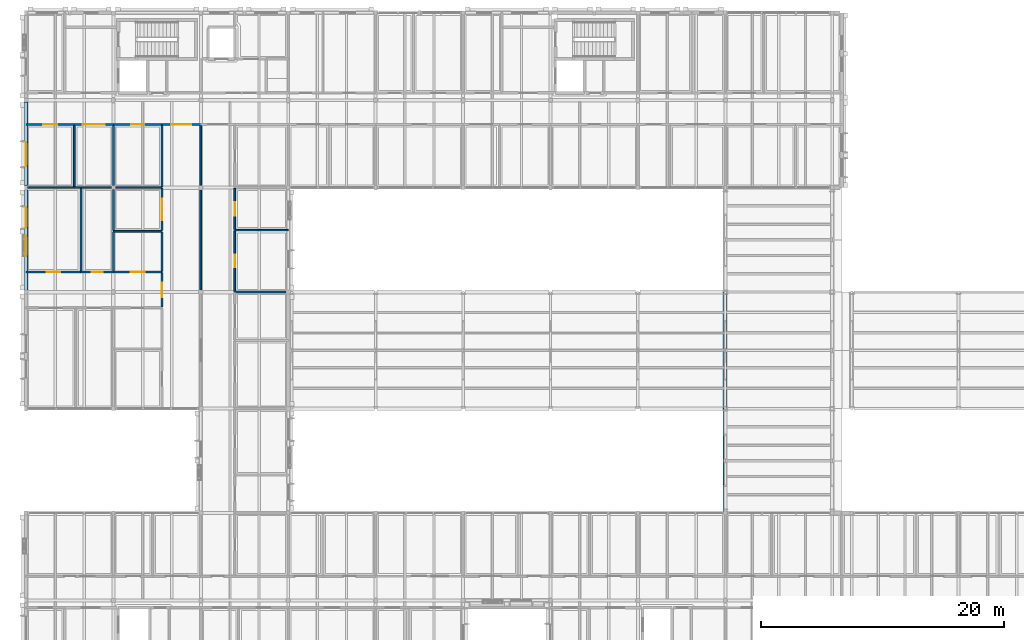
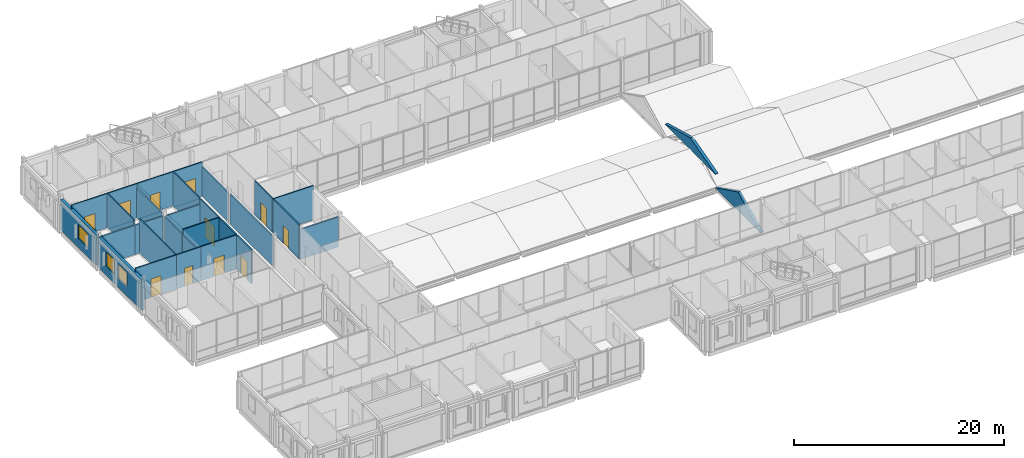
# One storey, part 85 of 115: 31 walls, 11 doors, 3 windows, 14 openings.
"""IFC4 building model written with IfcOpenShell, lengths in metres."""

from ifc_helpers import new_model, si_unit, direction, frame, frame_2d, origin, place, context, subcontext, project, spatial, polyline, rectangle, outline, extrude, material, layer, layer_set, type_object, element, fill, save


model = new_model("IFC4")

# Units and contexts
model_context = context("Model", 3, precision=1e-05, world=origin(), true_north=direction((0.0, 1.0)))
body_context = subcontext(model_context, "Body", "Model", "MODEL_VIEW")
ifc_project = project(units=[si_unit("LENGTHUNIT", "METRE"), si_unit("AREAUNIT", "SQUARE_METRE"), si_unit("VOLUMEUNIT", "CUBIC_METRE"), si_unit("PLANEANGLEUNIT", "RADIAN"), si_unit("MASSUNIT", "GRAM", prefix="KILO")], contexts=[model_context])

# Site, building, storey
site_placement = place(None, origin())
site = spatial("IfcSite", under=ifc_project, at=site_placement, CompositionType="ELEMENT")
building_placement = place(site_placement, origin())
building = spatial("IfcBuilding", under=site, at=building_placement, Name="Hawrajan Terrace Health Centre", CompositionType="ELEMENT")
storey_placement = place(building_placement, frame((0.0, 0.0, 9.0)))
storey = spatial("IfcBuildingStorey", under=building, at=storey_placement, Name="L02", CompositionType="ELEMENT", Elevation=9.0)

# Wall, openings, windows
ifc_material_1 = material(Name="Precast concrete C40/50", Category="concrete")
ifc_layer_1 = layer(ifc_material_1, 0.31005859375)
ifc_layer_set_1 = layer_set([ifc_layer_1], Name="Precast concrete C40/50")
wall_type_1 = type_object("IfcWallType", Name="ArtDecoFacadeWall_310", PredefinedType="SOLIDWALL", material=ifc_layer_set_1)
wall_1_placement = place(storey_placement, frame((4.60009765625, 36.9599609375, 0.0), z_axis=(0.0, 0.0, 1.0), x_axis=(0.0, 1.0, 0.0)))
wall_1 = element("IfcWall", 1, at=wall_1_placement, inside=storey, type_object=wall_type_1, Name="Exterior wall EW-L02-V00-04-1", PredefinedType="SOLIDWALL", context=body_context, shape_type="SweptSolid", body=[
    extrude(rectangle(XDim=8.260009765625, YDim=0.31005859375, at=frame_2d((4.1298828125, 0.0))), origin(), (0.0, 0.0, 1.0), 3.530029296875),
])
opening_1_placement = place(wall_1_placement, frame((2.794921875, 0.0, 1.050048828125)))
opening_1 = element("IfcOpeningElement", 2, at=opening_1_placement, cuts=wall_1, Name="Opening W-L02-117", PredefinedType="OPENING", context=body_context, shape_type="SweptSolid", body=[
    extrude(rectangle(XDim=1.679931640625, YDim=1.64990234375, at=frame_2d((0.83984375, 0.824951171875))), frame((0.0, 0.1650390625, 0.0), z_axis=(0.0, -1.0, 0.0), x_axis=(1.0, 0.0, 0.0)), (0.0, 0.0, 1.0), 0.330078125),
])
opening_2_placement = place(wall_1_placement, frame((5.155029296875, 0.0, 1.050048828125)))
opening_2 = element("IfcOpeningElement", 3, at=opening_2_placement, cuts=wall_1, Name="Opening W-L02-118", PredefinedType="OPENING", context=body_context, shape_type="SweptSolid", body=[
    extrude(rectangle(XDim=1.679931640625, YDim=1.64990234375, at=frame_2d((0.83984375, 0.824951171875))), frame((0.0, 0.1650390625, 0.0), z_axis=(0.0, -1.0, 0.0), x_axis=(1.0, 0.0, 0.0)), (0.0, 0.0, 1.0), 0.330078125),
])
ifc_material_2 = material(Name="Anodized bronze frame with double low-E glazing", Category="glass")
window_type_1 = type_object("IfcWindowType", Name="FacadeWindow_1680x1650", PartitioningType="DOUBLE_PANEL_VERTICAL", PredefinedType="WINDOW", material=ifc_material_2)
window_1_placement = place(opening_1_placement, origin())
window_1 = element("IfcWindow", 4, at=window_1_placement, inside=storey, type_object=window_type_1, Name="Window W-L02-117", OverallHeight=1.64990234375, OverallWidth=1.679931640625, PartitioningType="DOUBLE_PANEL_VERTICAL", PredefinedType="WINDOW", context=body_context, shape_type="SweptSolid", body=[
    extrude(rectangle(XDim=1.679931640625, YDim=1.64990234375, at=frame_2d((0.83984375, 0.824951171875))), frame((0.0, 0.030029296875, 0.0), z_axis=(0.0, -1.0, 0.0), x_axis=(1.0, 0.0, 0.0)), (0.0, 0.0, 1.0), 0.06005859375),
])
fill(opening_1, window_1)
window_2_placement = place(opening_2_placement, origin())
window_2 = element("IfcWindow", 5, at=window_2_placement, inside=storey, type_object=window_type_1, Name="Window W-L02-118", OverallHeight=1.64990234375, OverallWidth=1.679931640625, PartitioningType="DOUBLE_PANEL_VERTICAL", PredefinedType="WINDOW", context=body_context, shape_type="SweptSolid", body=[
    extrude(rectangle(XDim=1.679931640625, YDim=1.64990234375, at=frame_2d((0.83984375, 0.824951171875))), frame((0.0, 0.030029296875, 0.0), z_axis=(0.0, -1.0, 0.0), x_axis=(1.0, 0.0, 0.0)), (0.0, 0.0, 1.0), 0.06005859375),
])
fill(opening_2, window_2)

# Wall, opening, window
wall_2_placement = place(storey_placement, frame((4.60009765625, 45.580078125, 0.0), z_axis=(0.0, 0.0, 1.0), x_axis=(0.0, 1.0, 0.0)))
wall_2 = element("IfcWall", 6, at=wall_2_placement, inside=storey, type_object=wall_type_1, Name="Exterior wall EW-L02-V00-05-1", PredefinedType="SOLIDWALL", context=body_context, shape_type="SweptSolid", body=[
    extrude(rectangle(XDim=6.85986328125, YDim=0.31005859375, at=frame_2d((3.429931640625, 0.0))), origin(), (0.0, 0.0, 1.0), 3.530029296875),
])
opening_3_placement = place(wall_2_placement, frame((1.590087890625, 0.0, 1.050048828125)))
opening_3 = element("IfcOpeningElement", 7, at=opening_3_placement, cuts=wall_2, Name="Opening W-L02-119", PredefinedType="OPENING", context=body_context, shape_type="SweptSolid", body=[
    extrude(rectangle(XDim=1.9599609375, YDim=1.64990234375, at=frame_2d((0.97998046875, 0.824951171875))), frame((0.0, 0.1650390625, 0.0), z_axis=(0.0, -1.0, 0.0), x_axis=(1.0, 0.0, 0.0)), (0.0, 0.0, 1.0), 0.330078125),
])
window_type_2 = type_object("IfcWindowType", Name="FacadeWindow_1960x1650", PartitioningType="DOUBLE_PANEL_VERTICAL", PredefinedType="WINDOW", material=ifc_material_2)
window_3_placement = place(opening_3_placement, origin())
window_3 = element("IfcWindow", 8, at=window_3_placement, inside=storey, type_object=window_type_2, Name="Window W-L02-119", OverallHeight=1.64990234375, OverallWidth=1.9599609375, PartitioningType="DOUBLE_PANEL_VERTICAL", PredefinedType="WINDOW", context=body_context, shape_type="SweptSolid", body=[
    extrude(rectangle(XDim=1.9599609375, YDim=1.64990234375, at=frame_2d((0.97998046875, 0.824951171875))), frame((0.0, 0.030029296875, 0.0), z_axis=(0.0, -1.0, 0.0), x_axis=(1.0, 0.0, 0.0)), (0.0, 0.0, 1.0), 0.06005859375),
])
fill(opening_3, window_3)

# Walls
wall_3_placement = place(storey_placement, frame((62.179931640625, 18.60009765625, 0.0), z_axis=(0.0, 0.0, 1.0), x_axis=(0.0, 1.0, 0.0)))
element("IfcWall", 9, at=wall_3_placement, inside=storey, type_object=wall_type_1, Name="Glulam roof gable tympanum TYM-V1-W09-S", PredefinedType="SOLIDWALL", context=body_context, shape_type="SweptSolid", body=[
    extrude(outline(polyline([(0.0, 0.0), (8.599853515625, 0.0), (8.60009765625, 0.050048828125), (4.300048828125, 2.159912109375), (0.0, 0.050048828125), (0.0, 0.0)])), frame((0.0, 0.155029296875, 0.0), z_axis=(0.0, -1.0, 0.0), x_axis=(1.0, 0.0, 0.0)), (0.0, 0.0, 1.0), 0.31005859375),
])
wall_4_placement = place(storey_placement, frame((62.179931640625, 27.199951171875, 1.60009765625), z_axis=(0.0, 0.0, 1.0), x_axis=(0.0, 1.0, 0.0)))
element("IfcWall", 10, at=wall_4_placement, inside=storey, type_object=wall_type_1, Name="Glulam roof gable tympanum TYM-V1-W09-M", PredefinedType="SOLIDWALL", context=body_context, shape_type="SweptSolid", body=[
    extrude(outline(polyline([(0.0, 0.0), (9.60009765625, 0.0), (9.60009765625, 0.0498046875), (4.800048828125, 1.35986328125), (0.0, 0.0498046875), (0.0, 0.0)])), frame((0.0, 0.155029296875, 0.0), z_axis=(0.0, -1.0, 0.0), x_axis=(1.0, 0.0, 0.0)), (0.0, 0.0, 1.0), 0.31005859375),
])

# Wall, opening, door
ifc_material_3 = material(Name="Gypsum board on acoustic stud framing")
ifc_layer_2 = layer(ifc_material_3, 0.139892578125)
ifc_layer_set_2 = layer_set([ifc_layer_2], Name="Gypsum board on acoustic stud framing")
wall_type_2 = type_object("IfcWallType", Name="ClinicalAcousticWall_140", PredefinedType="PARTITIONING", material=ifc_layer_set_2)
wall_5_placement = place(storey_placement, frame((4.60009765625, 38.449951171875, 0.0), z_axis=(0.0, 0.0, 1.0), x_axis=(1.0, 0.0, 0.0)))
wall_5 = element("IfcWall", 11, at=wall_5_placement, inside=storey, type_object=wall_type_2, Name="Interior wall IW-L02-0982", PredefinedType="PARTITIONING", context=body_context, shape_type="SweptSolid", body=[
    extrude(rectangle(XDim=4.52197265625, YDim=0.139892578125, at=frame_2d((2.260986328125, 0.0))), origin(), (0.0, 0.0, 1.0), 3.9599609375),
])
opening_4_placement = place(wall_5_placement, frame((1.700927734375, 0.0, 0.0)))
opening_4 = element("IfcOpeningElement", 12, at=opening_4_placement, cuts=wall_5, Name="Opening D-L02-470", PredefinedType="OPENING", context=body_context, shape_type="SweptSolid", body=[
    extrude(rectangle(XDim=1.1201171875, YDim=2.14990234375, at=frame_2d((0.56005859375, 1.074951171875))), frame((0.0, 0.079833984375, 0.0), z_axis=(0.0, -1.0, 0.0), x_axis=(1.0, 0.0, 0.0)), (0.0, 0.0, 1.0), 0.159912109375),
])
ifc_material_4 = material(Name="Hardwood acoustic clinical door leaf and frame", Category="wood")
door_type_1 = type_object("IfcDoorType", Name="DentalSurgeryDoor_1120x2150", OperationType="NOTDEFINED", PredefinedType="DOOR", material=ifc_material_4)
door_1_placement = place(opening_4_placement, origin())
door_1 = element("IfcDoor", 13, at=door_1_placement, inside=storey, type_object=door_type_1, Name="Interior door D-L02-470", OperationType="SINGLE_SWING_RIGHT", OverallHeight=2.14990234375, OverallWidth=1.1201171875, PredefinedType="DOOR", context=body_context, shape_type="SweptSolid", body=[
    extrude(rectangle(XDim=1.1201171875, YDim=2.14990234375, at=frame_2d((0.56005859375, 1.074951171875))), frame((0.0, 0.02490234375, 0.0), z_axis=(0.0, -1.0, 0.0), x_axis=(1.0, 0.0, 0.0)), (0.0, 0.0, 1.0), 0.050048828125),
])
fill(opening_4, door_1)

# Wall
wall_6_placement = place(storey_placement, frame((4.739990234375, 45.39990234375, 0.0), z_axis=(0.0, 0.0, 1.0), x_axis=(1.0, 0.0, 0.0)))
element("IfcWall", 14, at=wall_6_placement, inside=storey, type_object=wall_type_2, Name="Interior wall IW-L02-0983", PredefinedType="PARTITIONING", context=body_context, shape_type="SweptSolid", body=[
    extrude(rectangle(XDim=3.826904296875, YDim=0.139892578125, at=frame_2d((1.91357421875, 0.0))), origin(), (0.0, 0.0, 1.0), 3.389892578125),
])

# Wall, opening, door
wall_7_placement = place(storey_placement, frame((4.60009765625, 50.60009765625, 0.0), z_axis=(0.0, 0.0, 1.0), x_axis=(1.0, 0.0, 0.0)))
wall_7 = element("IfcWall", 15, at=wall_7_placement, inside=storey, type_object=wall_type_2, Name="Interior wall IW-L02-0984", PredefinedType="PARTITIONING", context=body_context, shape_type="SweptSolid", body=[
    extrude(rectangle(XDim=3.966796875, YDim=0.139892578125, at=frame_2d((1.9833984375, 0.0))), origin(), (0.0, 0.0, 1.0), 3.9599609375),
])
opening_5_placement = place(wall_7_placement, frame((1.403564453125, 0.0, 0.0)))
opening_5 = element("IfcOpeningElement", 16, at=opening_5_placement, cuts=wall_7, Name="Opening D-L02-472", PredefinedType="OPENING", context=body_context, shape_type="SweptSolid", body=[
    extrude(rectangle(XDim=1.159912109375, YDim=2.10009765625, at=frame_2d((0.580078125, 1.050048828125))), frame((0.0, 0.079833984375, 0.0), z_axis=(0.0, -1.0, 0.0), x_axis=(1.0, 0.0, 0.0)), (0.0, 0.0, 1.0), 0.159912109375),
])
door_type_2 = type_object("IfcDoorType", Name="ConsultDoor_1160x2100", OperationType="NOTDEFINED", PredefinedType="DOOR", material=ifc_material_4)
door_2_placement = place(opening_5_placement, origin())
door_2 = element("IfcDoor", 17, at=door_2_placement, inside=storey, type_object=door_type_2, Name="Interior door D-L02-472", OperationType="SINGLE_SWING_RIGHT", OverallHeight=2.10009765625, OverallWidth=1.159912109375, PredefinedType="DOOR", context=body_context, shape_type="SweptSolid", body=[
    extrude(rectangle(XDim=1.159912109375, YDim=2.10009765625, at=frame_2d((0.580078125, 1.050048828125))), frame((0.0, 0.02490234375, 0.0), z_axis=(0.0, -1.0, 0.0), x_axis=(1.0, 0.0, 0.0)), (0.0, 0.0, 1.0), 0.050048828125),
])
fill(opening_5, door_2)

# Walls
wall_8_placement = place(storey_placement, frame((8.56689453125, 45.469970703125, 0.0), z_axis=(0.0, 0.0, 1.0), x_axis=(0.0, 1.0, 0.0)))
element("IfcWall", 18, at=wall_8_placement, inside=storey, type_object=wall_type_2, Name="Interior wall IW-L02-0990", PredefinedType="PARTITIONING", context=body_context, shape_type="SweptSolid", body=[
    extrude(rectangle(XDim=5.06005859375, YDim=0.139892578125, at=frame_2d((2.530029296875, 0.0))), origin(), (0.0, 0.0, 1.0), 3.9599609375),
])
wall_9_placement = place(storey_placement, frame((8.56689453125, 45.39990234375, 0.0), z_axis=(0.0, 0.0, 1.0), x_axis=(1.0, 0.0, 0.0)))
element("IfcWall", 19, at=wall_9_placement, inside=storey, type_object=wall_type_2, Name="Interior wall IW-L02-0991", PredefinedType="PARTITIONING", context=body_context, shape_type="SweptSolid", body=[
    extrude(rectangle(XDim=0.55517578125, YDim=0.139892578125, at=frame_2d((0.277587890625, 0.0))), origin(), (0.0, 0.0, 1.0), 3.389892578125),
])

# Wall, opening, door
wall_10_placement = place(storey_placement, frame((8.56689453125, 50.60009765625, 0.0), z_axis=(0.0, 0.0, 1.0), x_axis=(1.0, 0.0, 0.0)))
wall_10 = element("IfcWall", 20, at=wall_10_placement, inside=storey, type_object=wall_type_2, Name="Interior wall IW-L02-0992", PredefinedType="PARTITIONING", context=body_context, shape_type="SweptSolid", body=[
    extrude(rectangle(XDim=3.233154296875, YDim=0.139892578125, at=frame_2d((1.61669921875, 0.0))), origin(), (0.0, 0.0, 1.0), 3.9599609375),
])
opening_6_placement = place(wall_10_placement, frame((0.716552734375, 0.0, 0.0)))
opening_6 = element("IfcOpeningElement", 21, at=opening_6_placement, cuts=wall_10, Name="Opening D-L02-473", PredefinedType="OPENING", context=body_context, shape_type="SweptSolid", body=[
    extrude(rectangle(XDim=1.800048828125, YDim=2.300048828125, at=frame_2d((0.89990234375, 1.14990234375))), frame((0.0, 0.079833984375, 0.0), z_axis=(0.0, -1.0, 0.0), x_axis=(1.0, 0.0, 0.0)), (0.0, 0.0, 1.0), 0.159912109375),
])
door_type_3 = type_object("IfcDoorType", Name="EducationHallDoor_1800x2300", OperationType="DOUBLE_DOOR_SINGLE_SWING", PredefinedType="DOOR", material=ifc_material_4)
door_3_placement = place(opening_6_placement, origin())
door_3 = element("IfcDoor", 22, at=door_3_placement, inside=storey, type_object=door_type_3, Name="Interior door D-L02-473", OperationType="DOUBLE_DOOR_SINGLE_SWING", OverallHeight=2.300048828125, OverallWidth=1.800048828125, PredefinedType="DOOR", context=body_context, shape_type="SweptSolid", body=[
    extrude(rectangle(XDim=1.800048828125, YDim=2.300048828125, at=frame_2d((0.89990234375, 1.14990234375))), frame((0.0, 0.02490234375, 0.0), z_axis=(0.0, -1.0, 0.0), x_axis=(1.0, 0.0, 0.0)), (0.0, 0.0, 1.0), 0.050048828125),
])
fill(opening_6, door_3)

# Wall
wall_11_placement = place(storey_placement, frame((9.1220703125, 38.52001953125, 0.0), z_axis=(0.0, 0.0, 1.0), x_axis=(0.0, 1.0, 0.0)))
element("IfcWall", 23, at=wall_11_placement, inside=storey, type_object=wall_type_2, Name="Interior wall IW-L02-0995", PredefinedType="PARTITIONING", context=body_context, shape_type="SweptSolid", body=[
    extrude(rectangle(XDim=6.81005859375, YDim=0.139892578125, at=frame_2d((3.405029296875, 0.0))), origin(), (0.0, 0.0, 1.0), 3.9599609375),
])

# Wall, opening, door
wall_12_placement = place(storey_placement, frame((9.1220703125, 38.449951171875, 0.0), z_axis=(0.0, 0.0, 1.0), x_axis=(1.0, 0.0, 0.0)))
wall_12 = element("IfcWall", 24, at=wall_12_placement, inside=storey, type_object=wall_type_2, Name="Interior wall IW-L02-0996", PredefinedType="PARTITIONING", context=body_context, shape_type="SweptSolid", body=[
    extrude(rectangle(XDim=2.677978515625, YDim=0.139892578125, at=frame_2d((1.3388671875, 0.0))), origin(), (0.0, 0.0, 1.0), 3.9599609375),
])
opening_7_placement = place(wall_12_placement, frame((0.87890625, 0.0, 0.0)))
opening_7 = element("IfcOpeningElement", 25, at=opening_7_placement, cuts=wall_12, Name="Opening D-L02-471", PredefinedType="OPENING", context=body_context, shape_type="SweptSolid", body=[
    extrude(rectangle(XDim=0.919921875, YDim=2.10009765625, at=frame_2d((0.4599609375, 1.050048828125))), frame((0.0, 0.079833984375, 0.0), z_axis=(0.0, -1.0, 0.0), x_axis=(1.0, 0.0, 0.0)), (0.0, 0.0, 1.0), 0.159912109375),
])
door_type_4 = type_object("IfcDoorType", Name="StaffOfficeDoor_920x2100", OperationType="NOTDEFINED", PredefinedType="DOOR", material=ifc_material_4)
door_4_placement = place(opening_7_placement, origin())
door_4 = element("IfcDoor", 26, at=door_4_placement, inside=storey, type_object=door_type_4, Name="Interior door D-L02-471", OperationType="SINGLE_SWING_LEFT", OverallHeight=2.10009765625, OverallWidth=0.919921875, PredefinedType="DOOR", context=body_context, shape_type="SweptSolid", body=[
    extrude(rectangle(XDim=0.919921875, YDim=2.10009765625, at=frame_2d((0.4599609375, 1.050048828125))), frame((0.0, 0.02490234375, 0.0), z_axis=(0.0, -1.0, 0.0), x_axis=(1.0, 0.0, 0.0)), (0.0, 0.0, 1.0), 0.050048828125),
])
fill(opening_7, door_4)

# Walls
wall_13_placement = place(storey_placement, frame((9.1220703125, 45.39990234375, 0.0), z_axis=(0.0, 0.0, 1.0), x_axis=(1.0, 0.0, 0.0)))
element("IfcWall", 27, at=wall_13_placement, inside=storey, type_object=wall_type_2, Name="Interior wall IW-L02-0997", PredefinedType="PARTITIONING", context=body_context, shape_type="SweptSolid", body=[
    extrude(rectangle(XDim=2.517822265625, YDim=0.139892578125, at=frame_2d((1.2587890625, 0.0))), origin(), (0.0, 0.0, 1.0), 3.389892578125),
])
wall_14_placement = place(storey_placement, frame((11.800048828125, 38.52001953125, 0.0), z_axis=(0.0, 0.0, 1.0), x_axis=(0.0, 1.0, 0.0)))
element("IfcWall", 28, at=wall_14_placement, inside=storey, type_object=wall_type_2, Name="Interior wall IW-L02-1004", PredefinedType="PARTITIONING", context=body_context, shape_type="SweptSolid", body=[
    extrude(rectangle(XDim=3.217041015625, YDim=0.139892578125, at=frame_2d((1.6083984375, 0.0))), origin(), (0.0, 0.0, 1.0), 3.35009765625),
])

# Wall, opening, door
wall_15_placement = place(storey_placement, frame((11.800048828125, 38.449951171875, 0.0), z_axis=(0.0, 0.0, 1.0), x_axis=(1.0, 0.0, 0.0)))
wall_15 = element("IfcWall", 29, at=wall_15_placement, inside=storey, type_object=wall_type_2, Name="Interior wall IW-L02-1005", PredefinedType="PARTITIONING", context=body_context, shape_type="SweptSolid", body=[
    extrude(rectangle(XDim=4.0, YDim=0.139892578125, at=frame_2d((2.0, 0.0))), origin(), (0.0, 0.0, 1.0), 3.9599609375),
])
opening_8_placement = place(wall_15_placement, frame((1.419921875, 0.0, 0.0)))
opening_8 = element("IfcOpeningElement", 30, at=opening_8_placement, cuts=wall_15, Name="Opening D-L02-477", PredefinedType="OPENING", context=body_context, shape_type="SweptSolid", body=[
    extrude(rectangle(XDim=1.159912109375, YDim=2.10009765625, at=frame_2d((0.580078125, 1.050048828125))), frame((0.0, 0.079833984375, 0.0), z_axis=(0.0, -1.0, 0.0), x_axis=(1.0, 0.0, 0.0)), (0.0, 0.0, 1.0), 0.159912109375),
])
door_5_placement = place(opening_8_placement, origin())
door_5 = element("IfcDoor", 31, at=door_5_placement, inside=storey, type_object=door_type_2, Name="Interior door D-L02-477", OperationType="SINGLE_SWING_LEFT", OverallHeight=2.10009765625, OverallWidth=1.159912109375, PredefinedType="DOOR", context=body_context, shape_type="SweptSolid", body=[
    extrude(rectangle(XDim=1.159912109375, YDim=2.10009765625, at=frame_2d((0.580078125, 1.050048828125))), frame((0.0, 0.02490234375, 0.0), z_axis=(0.0, -1.0, 0.0), x_axis=(1.0, 0.0, 0.0)), (0.0, 0.0, 1.0), 0.050048828125),
])
fill(opening_8, door_5)

# Walls
wall_16_placement = place(storey_placement, frame((11.800048828125, 41.876953125, 0.0), z_axis=(0.0, 0.0, 1.0), x_axis=(0.0, 1.0, 0.0)))
element("IfcWall", 32, at=wall_16_placement, inside=storey, type_object=wall_type_2, Name="Interior wall IW-L02-1006", PredefinedType="PARTITIONING", context=body_context, shape_type="SweptSolid", body=[
    extrude(rectangle(XDim=3.363037109375, YDim=0.139892578125, at=frame_2d((1.681640625, 0.0))), origin(), (0.0, 0.0, 1.0), 3.35009765625),
])
wall_17_placement = place(storey_placement, frame((11.800048828125, 41.806884765625, 0.0), z_axis=(0.0, 0.0, 1.0), x_axis=(1.0, 0.0, 0.0)))
element("IfcWall", 33, at=wall_17_placement, inside=storey, type_object=wall_type_2, Name="Interior wall IW-L02-1007", PredefinedType="PARTITIONING", context=body_context, shape_type="SweptSolid", body=[
    extrude(rectangle(XDim=4.0, YDim=0.139892578125, at=frame_2d((2.0, 0.0))), origin(), (0.0, 0.0, 1.0), 3.9599609375),
])
wall_18_placement = place(storey_placement, frame((11.800048828125, 45.56005859375, 0.0), z_axis=(0.0, 0.0, 1.0), x_axis=(0.0, 1.0, 0.0)))
element("IfcWall", 34, at=wall_18_placement, inside=storey, type_object=wall_type_2, Name="Interior wall IW-L02-1008", PredefinedType="PARTITIONING", context=body_context, shape_type="SweptSolid", body=[
    extrude(rectangle(XDim=4.969970703125, YDim=0.139892578125, at=frame_2d((2.48486328125, 0.0))), origin(), (0.0, 0.0, 1.0), 3.469970703125),
])
wall_19_placement = place(storey_placement, frame((11.9599609375, 45.39990234375, 0.0), z_axis=(0.0, 0.0, 1.0), x_axis=(1.0, 0.0, 0.0)))
element("IfcWall", 35, at=wall_19_placement, inside=storey, type_object=wall_type_2, Name="Interior wall IW-L02-1009", PredefinedType="PARTITIONING", context=body_context, shape_type="SweptSolid", body=[
    extrude(rectangle(XDim=3.840087890625, YDim=0.139892578125, at=frame_2d((1.919921875, 0.0))), origin(), (0.0, 0.0, 1.0), 3.31005859375),
])

# Wall, opening, door
wall_20_placement = place(storey_placement, frame((11.800048828125, 50.60009765625, 0.0), z_axis=(0.0, 0.0, 1.0), x_axis=(1.0, 0.0, 0.0)))
wall_20 = element("IfcWall", 36, at=wall_20_placement, inside=storey, type_object=wall_type_2, Name="Interior wall IW-L02-1010", PredefinedType="PARTITIONING", context=body_context, shape_type="SweptSolid", body=[
    extrude(rectangle(XDim=4.0, YDim=0.139892578125, at=frame_2d((2.0, 0.0))), origin(), (0.0, 0.0, 1.0), 3.9599609375),
])
opening_9_placement = place(wall_20_placement, frame((1.47998046875, 0.0, 0.0)))
opening_9 = element("IfcOpeningElement", 37, at=opening_9_placement, cuts=wall_20, Name="Opening D-L02-479", PredefinedType="OPENING", context=body_context, shape_type="SweptSolid", body=[
    extrude(rectangle(XDim=1.0400390625, YDim=2.10009765625, at=frame_2d((0.52001953125, 1.050048828125))), frame((0.0, 0.079833984375, 0.0), z_axis=(0.0, -1.0, 0.0), x_axis=(1.0, 0.0, 0.0)), (0.0, 0.0, 1.0), 0.159912109375),
])
door_type_5 = type_object("IfcDoorType", Name="ConsultDoor_1040x2100", OperationType="NOTDEFINED", PredefinedType="DOOR", material=ifc_material_4)
door_6_placement = place(opening_9_placement, origin())
door_6 = element("IfcDoor", 38, at=door_6_placement, inside=storey, type_object=door_type_5, Name="Interior door D-L02-479", OperationType="SINGLE_SWING_LEFT", OverallHeight=2.10009765625, OverallWidth=1.0400390625, PredefinedType="DOOR", context=body_context, shape_type="SweptSolid", body=[
    extrude(rectangle(XDim=1.0400390625, YDim=2.10009765625, at=frame_2d((0.52001953125, 1.050048828125))), frame((0.0, 0.02490234375, 0.0), z_axis=(0.0, -1.0, 0.0), x_axis=(1.0, 0.0, 0.0)), (0.0, 0.0, 1.0), 0.050048828125),
])
fill(opening_9, door_6)

wall_21_placement = place(storey_placement, frame((15.800048828125, 35.570068359375, 0.0), z_axis=(0.0, 0.0, 1.0), x_axis=(0.0, 1.0, 0.0)))
wall_21 = element("IfcWall", 39, at=wall_21_placement, inside=storey, type_object=wall_type_2, Name="Interior wall IW-L02-1017", PredefinedType="PARTITIONING", context=body_context, shape_type="SweptSolid", body=[
    extrude(rectangle(XDim=2.809814453125, YDim=0.139892578125, at=frame_2d((1.40478515625, 0.0))), origin(), (0.0, 0.0, 1.0), 3.9599609375),
])
opening_10_placement = place(wall_21_placement, frame((0.794921875, 0.0, 0.0)))
opening_10 = element("IfcOpeningElement", 40, at=opening_10_placement, cuts=wall_21, Name="Opening D-L02-447", PredefinedType="OPENING", context=body_context, shape_type="SweptSolid", body=[
    extrude(rectangle(XDim=1.219970703125, YDim=2.10009765625, at=frame_2d((0.60986328125, 1.050048828125))), frame((0.0, 0.079833984375, 0.0), z_axis=(0.0, -1.0, 0.0), x_axis=(1.0, 0.0, 0.0)), (0.0, 0.0, 1.0), 0.159912109375),
])
door_type_6 = type_object("IfcDoorType", Name="ConsultDoor_1220x2100", OperationType="NOTDEFINED", PredefinedType="DOOR", material=ifc_material_4)
door_7_placement = place(opening_10_placement, origin())
door_7 = element("IfcDoor", 41, at=door_7_placement, inside=storey, type_object=door_type_6, Name="Interior door D-L02-447", OperationType="SINGLE_SWING_LEFT", OverallHeight=2.10009765625, OverallWidth=1.219970703125, PredefinedType="DOOR", context=body_context, shape_type="SweptSolid", body=[
    extrude(rectangle(XDim=1.219970703125, YDim=2.10009765625, at=frame_2d((0.60986328125, 1.050048828125))), frame((0.0, 0.02490234375, 0.0), z_axis=(0.0, -1.0, 0.0), x_axis=(1.0, 0.0, 0.0)), (0.0, 0.0, 1.0), 0.050048828125),
])
fill(opening_10, door_7)

# Wall
wall_22_placement = place(storey_placement, frame((15.800048828125, 38.52001953125, 0.0), z_axis=(0.0, 0.0, 1.0), x_axis=(0.0, 1.0, 0.0)))
element("IfcWall", 42, at=wall_22_placement, inside=storey, type_object=wall_type_2, Name="Interior wall IW-L02-1018", PredefinedType="PARTITIONING", context=body_context, shape_type="SweptSolid", body=[
    extrude(rectangle(XDim=3.217041015625, YDim=0.139892578125, at=frame_2d((1.6083984375, 0.0))), origin(), (0.0, 0.0, 1.0), 3.9599609375),
])

# Wall, opening, door
wall_23_placement = place(storey_placement, frame((15.800048828125, 41.876953125, 0.0), z_axis=(0.0, 0.0, 1.0), x_axis=(0.0, 1.0, 0.0)))
wall_23 = element("IfcWall", 43, at=wall_23_placement, inside=storey, type_object=wall_type_2, Name="Interior wall IW-L02-1019", PredefinedType="PARTITIONING", context=body_context, shape_type="SweptSolid", body=[
    extrude(rectangle(XDim=3.453125, YDim=0.139892578125, at=frame_2d((1.7265625, 0.0))), origin(), (0.0, 0.0, 1.0), 3.9599609375),
])
opening_11_placement = place(wall_23_placement, frame((0.826416015625, 0.0, 0.0)))
opening_11 = element("IfcOpeningElement", 44, at=opening_11_placement, cuts=wall_23, Name="Opening D-L02-478", PredefinedType="OPENING", context=body_context, shape_type="SweptSolid", body=[
    extrude(rectangle(XDim=1.800048828125, YDim=2.300048828125, at=frame_2d((0.89990234375, 1.14990234375))), frame((0.0, 0.079833984375, 0.0), z_axis=(0.0, -1.0, 0.0), x_axis=(1.0, 0.0, 0.0)), (0.0, 0.0, 1.0), 0.159912109375),
])
door_8_placement = place(opening_11_placement, origin())
door_8 = element("IfcDoor", 45, at=door_8_placement, inside=storey, type_object=door_type_3, Name="Interior door D-L02-478", OperationType="DOUBLE_DOOR_SINGLE_SWING", OverallHeight=2.300048828125, OverallWidth=1.800048828125, PredefinedType="DOOR", context=body_context, shape_type="SweptSolid", body=[
    extrude(rectangle(XDim=1.800048828125, YDim=2.300048828125, at=frame_2d((0.89990234375, 1.14990234375))), frame((0.0, 0.02490234375, 0.0), z_axis=(0.0, -1.0, 0.0), x_axis=(1.0, 0.0, 0.0)), (0.0, 0.0, 1.0), 0.050048828125),
])
fill(opening_11, door_8)

# Wall
wall_24_placement = place(storey_placement, frame((15.800048828125, 45.469970703125, 0.0), z_axis=(0.0, 0.0, 1.0), x_axis=(0.0, 1.0, 0.0)))
element("IfcWall", 46, at=wall_24_placement, inside=storey, type_object=wall_type_2, Name="Interior wall IW-L02-1020", PredefinedType="PARTITIONING", context=body_context, shape_type="SweptSolid", body=[
    extrude(rectangle(XDim=5.06005859375, YDim=0.139892578125, at=frame_2d((2.530029296875, 0.0))), origin(), (0.0, 0.0, 1.0), 3.9599609375),
])

# Wall, opening, door
wall_25_placement = place(storey_placement, frame((15.800048828125, 50.60009765625, 0.0), z_axis=(0.0, 0.0, 1.0), x_axis=(1.0, 0.0, 0.0)))
wall_25 = element("IfcWall", 47, at=wall_25_placement, inside=storey, type_object=wall_type_2, Name="Interior wall IW-L02-1021", PredefinedType="PARTITIONING", context=body_context, shape_type="SweptSolid", body=[
    extrude(rectangle(XDim=3.199951171875, YDim=0.139892578125, at=frame_2d((1.60009765625, 0.0))), origin(), (0.0, 0.0, 1.0), 3.9599609375),
])
opening_12_placement = place(wall_25_placement, frame((0.77001953125, 0.0, 0.0)))
opening_12 = element("IfcOpeningElement", 48, at=opening_12_placement, cuts=wall_25, Name="Opening D-L02-445", PredefinedType="OPENING", context=body_context, shape_type="SweptSolid", body=[
    extrude(rectangle(XDim=1.659912109375, YDim=2.300048828125, at=frame_2d((0.830078125, 1.14990234375))), frame((0.0, 0.079833984375, 0.0), z_axis=(0.0, -1.0, 0.0), x_axis=(1.0, 0.0, 0.0)), (0.0, 0.0, 1.0), 0.159912109375),
])
door_type_7 = type_object("IfcDoorType", Name="RehabGymDoor_1660x2300", OperationType="DOUBLE_DOOR_SINGLE_SWING", PredefinedType="DOOR", material=ifc_material_4)
door_9_placement = place(opening_12_placement, origin())
door_9 = element("IfcDoor", 49, at=door_9_placement, inside=storey, type_object=door_type_7, Name="Interior door D-L02-445", OperationType="DOUBLE_DOOR_SINGLE_SWING", OverallHeight=2.300048828125, OverallWidth=1.659912109375, PredefinedType="DOOR", context=body_context, shape_type="SweptSolid", body=[
    extrude(rectangle(XDim=1.659912109375, YDim=2.300048828125, at=frame_2d((0.830078125, 1.14990234375))), frame((0.0, 0.02490234375, 0.0), z_axis=(0.0, -1.0, 0.0), x_axis=(1.0, 0.0, 0.0)), (0.0, 0.0, 1.0), 0.050048828125),
])
fill(opening_12, door_9)

# Walls
wall_26_placement = place(storey_placement, frame((19.0, 36.97998046875, 0.0), z_axis=(0.0, 0.0, 1.0), x_axis=(0.0, 1.0, 0.0)))
element("IfcWall", 50, at=wall_26_placement, inside=storey, type_object=wall_type_2, Name="Interior wall IW-L02-1026", PredefinedType="PARTITIONING", context=body_context, shape_type="SweptSolid", body=[
    extrude(rectangle(XDim=8.239990234375, YDim=0.139892578125, at=frame_2d((4.1201171875, 0.0))), origin(), (0.0, 0.0, 1.0), 3.489990234375),
])
wall_27_placement = place(storey_placement, frame((19.0, 45.580078125, 0.0), z_axis=(0.0, 0.0, 1.0), x_axis=(0.0, 1.0, 0.0)))
element("IfcWall", 51, at=wall_27_placement, inside=storey, type_object=wall_type_2, Name="Interior wall IW-L02-1027", PredefinedType="PARTITIONING", context=body_context, shape_type="SweptSolid", body=[
    extrude(rectangle(XDim=4.949951171875, YDim=0.139892578125, at=frame_2d((2.47509765625, 0.0))), origin(), (0.0, 0.0, 1.0), 3.429931640625),
])

# Wall, opening, door
wall_28_placement = place(storey_placement, frame((21.800048828125, 36.8701171875, 0.0), z_axis=(0.0, 0.0, 1.0), x_axis=(0.0, 1.0, 0.0)))
wall_28 = element("IfcWall", 52, at=wall_28_placement, inside=storey, type_object=wall_type_2, Name="Interior wall IW-L02-1040", PredefinedType="PARTITIONING", context=body_context, shape_type="SweptSolid", body=[
    extrude(rectangle(XDim=4.9599609375, YDim=0.139892578125, at=frame_2d((2.47998046875, 0.0))), origin(), (0.0, 0.0, 1.0), 3.9599609375),
])
opening_13_placement = place(wall_28_placement, frame((1.9599609375, 0.0, 0.0)))
opening_13 = element("IfcOpeningElement", 53, at=opening_13_placement, cuts=wall_28, Name="Opening D-L02-484", PredefinedType="OPENING", context=body_context, shape_type="SweptSolid", body=[
    extrude(rectangle(XDim=1.0400390625, YDim=2.10009765625, at=frame_2d((0.52001953125, 1.050048828125))), frame((0.0, 0.079833984375, 0.0), z_axis=(0.0, -1.0, 0.0), x_axis=(1.0, 0.0, 0.0)), (0.0, 0.0, 1.0), 0.159912109375),
])
door_10_placement = place(opening_13_placement, origin())
door_10 = element("IfcDoor", 54, at=door_10_placement, inside=storey, type_object=door_type_5, Name="Interior door D-L02-484", OperationType="SINGLE_SWING_RIGHT", OverallHeight=2.10009765625, OverallWidth=1.0400390625, PredefinedType="DOOR", context=body_context, shape_type="SweptSolid", body=[
    extrude(rectangle(XDim=1.0400390625, YDim=2.10009765625, at=frame_2d((0.52001953125, 1.050048828125))), frame((0.0, 0.02490234375, 0.0), z_axis=(0.0, -1.0, 0.0), x_axis=(1.0, 0.0, 0.0)), (0.0, 0.0, 1.0), 0.050048828125),
])
fill(opening_13, door_10)

# Wall
wall_29_placement = place(storey_placement, frame((21.800048828125, 36.800048828125, 0.0), z_axis=(0.0, 0.0, 1.0), x_axis=(1.0, 0.0, 0.0)))
element("IfcWall", 55, at=wall_29_placement, inside=storey, type_object=wall_type_2, Name="Interior wall IW-L02-1041", PredefinedType="PARTITIONING", context=body_context, shape_type="SweptSolid", body=[
    extrude(rectangle(XDim=4.219970703125, YDim=0.139892578125, at=frame_2d((2.10986328125, 0.0))), origin(), (0.0, 0.0, 1.0), 3.489990234375),
])

# Wall, opening, door
wall_30_placement = place(storey_placement, frame((21.800048828125, 41.969970703125, 0.0), z_axis=(0.0, 0.0, 1.0), x_axis=(0.0, 1.0, 0.0)))
wall_30 = element("IfcWall", 56, at=wall_30_placement, inside=storey, type_object=wall_type_2, Name="Interior wall IW-L02-1042", PredefinedType="PARTITIONING", context=body_context, shape_type="SweptSolid", body=[
    extrude(rectangle(XDim=3.360107421875, YDim=0.139892578125, at=frame_2d((1.68017578125, 0.0))), origin(), (0.0, 0.0, 1.0), 3.9599609375),
])
opening_14_placement = place(wall_30_placement, frame((1.1201171875, 0.0, 0.0)))
opening_14 = element("IfcOpeningElement", 57, at=opening_14_placement, cuts=wall_30, Name="Opening D-L02-485", PredefinedType="OPENING", context=body_context, shape_type="SweptSolid", body=[
    extrude(rectangle(XDim=1.1201171875, YDim=2.14990234375, at=frame_2d((0.56005859375, 1.074951171875))), frame((0.0, 0.079833984375, 0.0), z_axis=(0.0, -1.0, 0.0), x_axis=(1.0, 0.0, 0.0)), (0.0, 0.0, 1.0), 0.159912109375),
])
door_11_placement = place(opening_14_placement, origin())
door_11 = element("IfcDoor", 58, at=door_11_placement, inside=storey, type_object=door_type_1, Name="Interior door D-L02-485", OperationType="SINGLE_SWING_LEFT", OverallHeight=2.14990234375, OverallWidth=1.1201171875, PredefinedType="DOOR", context=body_context, shape_type="SweptSolid", body=[
    extrude(rectangle(XDim=1.1201171875, YDim=2.14990234375, at=frame_2d((0.56005859375, 1.074951171875))), frame((0.0, 0.02490234375, 0.0), z_axis=(0.0, -1.0, 0.0), x_axis=(1.0, 0.0, 0.0)), (0.0, 0.0, 1.0), 0.050048828125),
])
fill(opening_14, door_11)

# Wall
wall_31_placement = place(storey_placement, frame((21.800048828125, 41.89990234375, 0.0), z_axis=(0.0, 0.0, 1.0), x_axis=(1.0, 0.0, 0.0)))
element("IfcWall", 59, at=wall_31_placement, inside=storey, type_object=wall_type_2, Name="Interior wall IW-L02-1043", PredefinedType="PARTITIONING", context=body_context, shape_type="SweptSolid", body=[
    extrude(rectangle(XDim=4.39990234375, YDim=0.139892578125, at=frame_2d((2.199951171875, 0.0))), origin(), (0.0, 0.0, 1.0), 3.9599609375),
])

save(model, "model.ifc")
